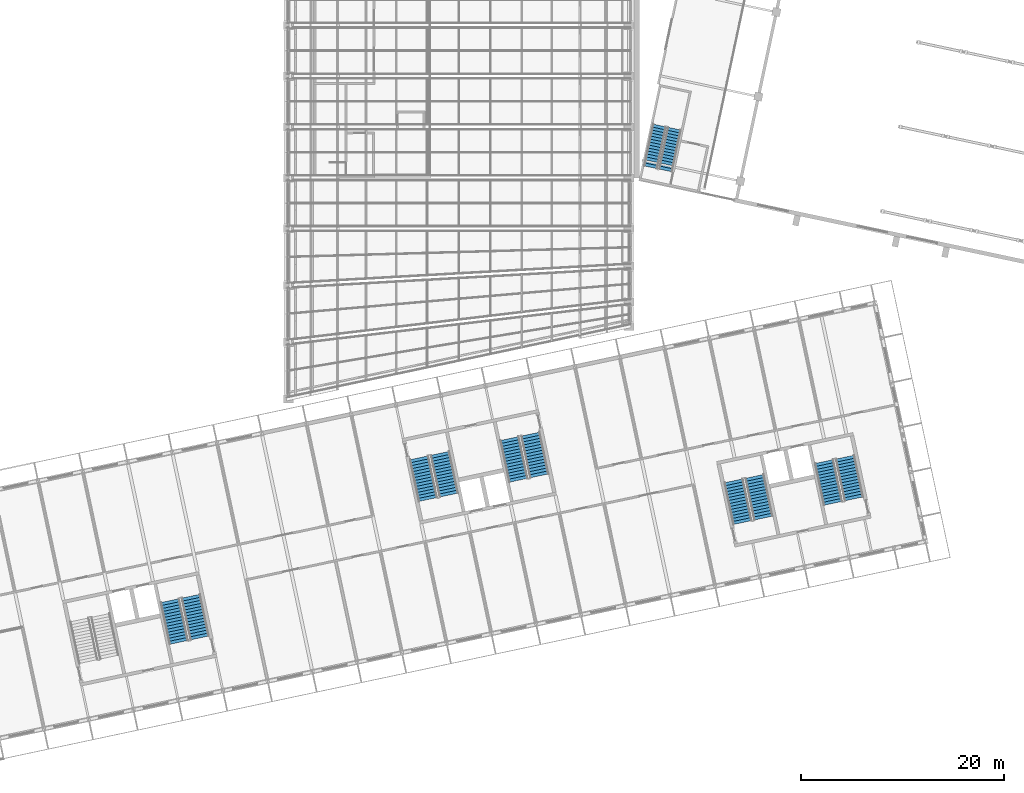
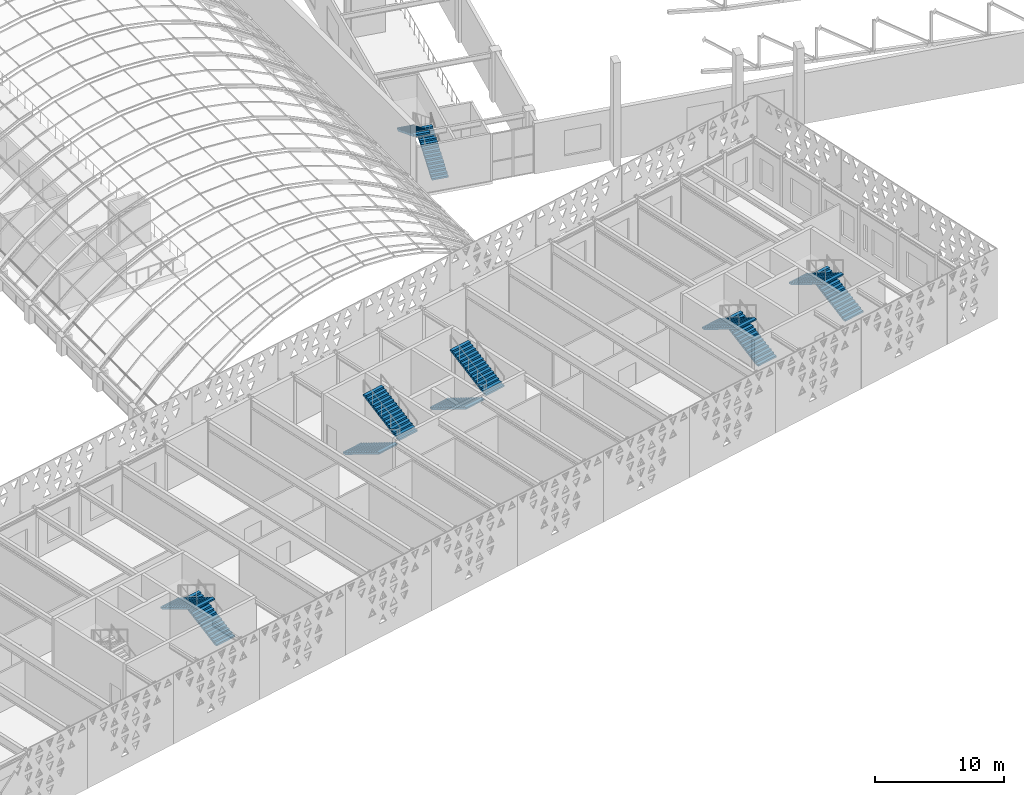
# One storey, part 151 of 182: 12 stair flights, 6 elements without a shape of their own.
"""IFC4 building model written with IfcOpenShell, lengths in metres."""

from ifc_helpers import new_model, si_unit, direction, frame, origin, place, context, subcontext, project, spatial, polyline, outline, extrude, material, type_object, element, aggregate, save


model = new_model("IFC4")

# Units and contexts
model_context = context("Model", 3, precision=1e-05, world=origin(), true_north=direction((0.0, 1.0)))
body_context = subcontext(model_context, "Body", "Model", "MODEL_VIEW")
ifc_project = project(units=[si_unit("LENGTHUNIT", "METRE"), si_unit("AREAUNIT", "SQUARE_METRE"), si_unit("VOLUMEUNIT", "CUBIC_METRE"), si_unit("PLANEANGLEUNIT", "RADIAN"), si_unit("MASSUNIT", "GRAM", prefix="KILO")], contexts=[model_context])

# Site, building, storey
site_placement = place(None, origin())
site = spatial("IfcSite", under=ifc_project, at=site_placement, CompositionType="ELEMENT")
building_placement = place(site_placement, origin())
building = spatial("IfcBuilding", under=site, at=building_placement, Name="Okhra Congress Centre", CompositionType="ELEMENT")
storey_placement = place(building_placement, frame((0.0, 0.0, 7.199951171875)))
storey = spatial("IfcBuildingStorey", under=building, at=storey_placement, Name="L01", CompositionType="ELEMENT", Elevation=7.199951171875)

# Stair, stair flights
ifc_material = material(Name="Concrete C30/37", Category="concrete")
stair_type_1 = type_object("IfcStairType", Name="Escape stair 1350 wide, 30 risers of 160.0", PredefinedType="HALF_TURN_STAIR", material=ifc_material)
stair_1_placement = place(storey_placement, origin())
stair_1 = element("IfcStair", 1, at=stair_1_placement, inside=storey, type_object=stair_type_1, Name="L01 Gallery Stair", PredefinedType="HALF_TURN_STAIR")
stair_flight_type_1 = type_object("IfcStairFlightType", Name="Stair flight 1350 wide", PredefinedType="STRAIGHT", material=ifc_material)
stair_flight_1_placement = place(storey_placement, frame((192.582763671875, 96.727783203125, 0.0), z_axis=(0.0, 0.0, 1.0), x_axis=(0.207911690818, 0.978147600734, 0.0)))
stair_flight_1 = element("IfcStairFlight", 2, at=stair_flight_1_placement, type_object=stair_flight_type_1, Name="BG1 flight 1", NumberOfRisers=15, NumberOfTreads=14, PredefinedType="STRAIGHT", RiserHeight=0.16, TreadLength=0.300146667, context=body_context, shape_type="SweptSolid", body=[
    extrude(outline(polyline([(0.0, 0.0), (0.0, 0.159912109375), (0.300048828125, 0.159912109375), (0.300048828125, 0.320068359375), (0.600341796875, 0.320068359375), (0.600341796875, 0.47998046875), (0.900390625, 0.47998046875), (0.900390625, 0.639892578125), (1.20068359375, 0.639892578125), (1.20068359375, 0.800048828125), (1.500732421875, 0.800048828125), (1.500732421875, 0.9599609375), (1.80078125, 0.9599609375), (1.80078125, 1.1201171875), (2.10107421875, 1.1201171875), (2.10107421875, 1.280029296875), (2.401123046875, 1.280029296875), (2.401123046875, 1.43994140625), (2.701416015625, 1.43994140625), (2.701416015625, 1.60009765625), (3.00146484375, 1.60009765625), (3.00146484375, 1.760009765625), (3.301513671875, 1.760009765625), (3.301513671875, 1.919921875), (3.601806640625, 1.919921875), (3.601806640625, 2.080078125), (3.90185546875, 2.080078125), (3.90185546875, 2.239990234375), (4.2021484375, 2.239990234375), (4.2021484375, 2.39990234375), (4.2021484375, 2.070068359375), (0.318603515625, 0.0), (0.0, 0.0)])), frame((0.0, 0.675048828125, 0.0), z_axis=(0.0, -1.0, 0.0), x_axis=(1.0, 0.0, 0.0)), (0.0, 0.0, 1.0), 1.35009765625),
])
stair_flight_2_placement = place(storey_placement, frame((191.9892578125, 101.150146484375, 2.400146484375), z_axis=(0.0, 0.0, 1.0), x_axis=(-0.207911690818, -0.978147600734, 0.0)))
stair_flight_2 = element("IfcStairFlight", 3, at=stair_flight_2_placement, type_object=stair_flight_type_1, Name="BG1 flight 2", NumberOfRisers=15, NumberOfTreads=14, PredefinedType="STRAIGHT", RiserHeight=0.16, TreadLength=0.300146667, context=body_context, shape_type="SweptSolid", body=[
    extrude(outline(polyline([(0.0, 0.0), (0.0, 0.159912109375), (0.300048828125, 0.159912109375), (0.300048828125, 0.320068359375), (0.600341796875, 0.320068359375), (0.600341796875, 0.47998046875), (0.900390625, 0.47998046875), (0.900390625, 0.639892578125), (1.20068359375, 0.639892578125), (1.20068359375, 0.800048828125), (1.500732421875, 0.800048828125), (1.500732421875, 0.9599609375), (1.80078125, 0.9599609375), (1.80078125, 1.1201171875), (2.10107421875, 1.1201171875), (2.10107421875, 1.280029296875), (2.401123046875, 1.280029296875), (2.401123046875, 1.43994140625), (2.701416015625, 1.43994140625), (2.701416015625, 1.60009765625), (3.00146484375, 1.60009765625), (3.00146484375, 1.760009765625), (3.301513671875, 1.760009765625), (3.301513671875, 1.919921875), (3.601806640625, 1.919921875), (3.601806640625, 2.080078125), (3.90185546875, 2.080078125), (3.90185546875, 2.239990234375), (4.2021484375, 2.239990234375), (4.2021484375, 2.39990234375), (4.2021484375, 2.070068359375), (0.318603515625, 0.0), (0.0, 0.0)])), frame((0.0, 0.675048828125, 0.0), z_axis=(0.0, -1.0, 0.0), x_axis=(1.0, 0.0, 0.0)), (0.0, 0.0, 1.0), 1.35009765625),
])
aggregate(stair_1, [stair_flight_1, stair_flight_2])

stair_type_2 = type_object("IfcStairType", Name="Escape stair 1900 wide, 30 risers of 160.0", PredefinedType="HALF_TURN_STAIR", material=ifc_material)
stair_2_placement = place(storey_placement, origin())
stair_2 = element("IfcStair", 4, at=stair_2_placement, inside=storey, type_object=stair_type_2, Name="L01 Escape stair 3B", PredefinedType="HALF_TURN_STAIR")
stair_flight_type_2 = type_object("IfcStairFlightType", Name="Stair flight 1900 wide", PredefinedType="STRAIGHT", material=ifc_material)
stair_flight_3_placement = place(storey_placement, frame((146.76025390625, 50.7353515625, 0.0), z_axis=(0.0, 0.0, 1.0), x_axis=(-0.207911690818, 0.978147600734, 0.0)))
stair_flight_3 = element("IfcStairFlight", 5, at=stair_flight_3_placement, type_object=stair_flight_type_2, Name="BS3B flight 1", NumberOfRisers=15, NumberOfTreads=14, PredefinedType="STRAIGHT", RiserHeight=0.16, TreadLength=0.3, context=body_context, shape_type="SweptSolid", body=[
    extrude(outline(polyline([(0.0, 0.0), (0.0, 0.159912109375), (0.300048828125, 0.159912109375), (0.300048828125, 0.320068359375), (0.60009765625, 0.320068359375), (0.60009765625, 0.47998046875), (0.89990234375, 0.47998046875), (0.89990234375, 0.639892578125), (1.199951171875, 0.639892578125), (1.199951171875, 0.800048828125), (1.5, 0.800048828125), (1.5, 0.9599609375), (1.800048828125, 0.9599609375), (1.800048828125, 1.1201171875), (2.10009765625, 1.1201171875), (2.10009765625, 1.280029296875), (2.39990234375, 1.280029296875), (2.39990234375, 1.43994140625), (2.699951171875, 1.43994140625), (2.699951171875, 1.60009765625), (3.0, 1.60009765625), (3.0, 1.760009765625), (3.300048828125, 1.760009765625), (3.300048828125, 1.919921875), (3.60009765625, 1.919921875), (3.60009765625, 2.080078125), (3.89990234375, 2.080078125), (3.89990234375, 2.239990234375), (4.199951171875, 2.239990234375), (4.199951171875, 2.39990234375), (4.199951171875, 2.103759765625), (0.25537109375, 0.0), (0.0, 0.0)])), frame((0.0, 0.949951171875, 0.0), z_axis=(0.0, -1.0, 0.0), x_axis=(1.0, 0.0, 0.0)), (0.0, 0.0, 1.0), 1.89990234375),
])
stair_flight_4_placement = place(storey_placement, frame((143.8330078125, 54.406982421875, 2.400146484375), z_axis=(0.0, 0.0, 1.0), x_axis=(0.207911690818, -0.978147600734, 0.0)))
stair_flight_4 = element("IfcStairFlight", 6, at=stair_flight_4_placement, type_object=stair_flight_type_2, Name="BS3B flight 2", NumberOfRisers=15, NumberOfTreads=14, PredefinedType="STRAIGHT", RiserHeight=0.16, TreadLength=0.3, context=body_context, shape_type="SweptSolid", body=[
    extrude(outline(polyline([(0.0, 0.0), (0.0, 0.159912109375), (0.300048828125, 0.159912109375), (0.300048828125, 0.320068359375), (0.60009765625, 0.320068359375), (0.60009765625, 0.47998046875), (0.89990234375, 0.47998046875), (0.89990234375, 0.639892578125), (1.199951171875, 0.639892578125), (1.199951171875, 0.800048828125), (1.5, 0.800048828125), (1.5, 0.9599609375), (1.800048828125, 0.9599609375), (1.800048828125, 1.1201171875), (2.10009765625, 1.1201171875), (2.10009765625, 1.280029296875), (2.39990234375, 1.280029296875), (2.39990234375, 1.43994140625), (2.699951171875, 1.43994140625), (2.699951171875, 1.60009765625), (3.0, 1.60009765625), (3.0, 1.760009765625), (3.300048828125, 1.760009765625), (3.300048828125, 1.919921875), (3.60009765625, 1.919921875), (3.60009765625, 2.080078125), (3.89990234375, 2.080078125), (3.89990234375, 2.239990234375), (4.199951171875, 2.239990234375), (4.199951171875, 2.39990234375), (4.199951171875, 2.103759765625), (0.25537109375, 0.0), (0.0, 0.0)])), frame((0.0, 0.949951171875, 0.0), z_axis=(0.0, -1.0, 0.0), x_axis=(1.0, 0.0, 0.0)), (0.0, 0.0, 1.0), 1.89990234375),
])
aggregate(stair_2, [stair_flight_3, stair_flight_4])

stair_3_placement = place(storey_placement, origin())
stair_3 = element("IfcStair", 7, at=stair_3_placement, inside=storey, type_object=stair_type_2, Name="L01 Escape stair 4A", PredefinedType="HALF_TURN_STAIR")
stair_flight_5_placement = place(storey_placement, frame((168.3466796875, 68.460693359375, 0.0), z_axis=(0.0, 0.0, 1.0), x_axis=(0.207911690818, -0.978147600734, 0.0)))
stair_flight_5 = element("IfcStairFlight", 8, at=stair_flight_5_placement, type_object=stair_flight_type_2, Name="BS4A flight 1", NumberOfRisers=15, NumberOfTreads=14, PredefinedType="STRAIGHT", RiserHeight=0.16, TreadLength=0.3, context=body_context, shape_type="SweptSolid", body=[
    extrude(outline(polyline([(0.0, 0.0), (0.0, 0.159912109375), (0.300048828125, 0.159912109375), (0.300048828125, 0.320068359375), (0.60009765625, 0.320068359375), (0.60009765625, 0.47998046875), (0.89990234375, 0.47998046875), (0.89990234375, 0.639892578125), (1.199951171875, 0.639892578125), (1.199951171875, 0.800048828125), (1.5, 0.800048828125), (1.5, 0.9599609375), (1.800048828125, 0.9599609375), (1.800048828125, 1.1201171875), (2.10009765625, 1.1201171875), (2.10009765625, 1.280029296875), (2.39990234375, 1.280029296875), (2.39990234375, 1.43994140625), (2.699951171875, 1.43994140625), (2.699951171875, 1.60009765625), (3.0, 1.60009765625), (3.0, 1.760009765625), (3.300048828125, 1.760009765625), (3.300048828125, 1.919921875), (3.60009765625, 1.919921875), (3.60009765625, 2.080078125), (3.89990234375, 2.080078125), (3.89990234375, 2.239990234375), (4.199951171875, 2.239990234375), (4.199951171875, 2.39990234375), (4.199951171875, 2.103759765625), (0.25537109375, 0.0), (0.0, 0.0)])), frame((0.0, 0.949951171875, 0.0), z_axis=(0.0, -1.0, 0.0), x_axis=(1.0, 0.0, 0.0)), (0.0, 0.0, 1.0), 1.89990234375),
])
stair_flight_6_placement = place(storey_placement, frame((171.27392578125, 64.7890625, 2.400146484375), z_axis=(0.0, 0.0, 1.0), x_axis=(-0.207911690818, 0.978147600734, 0.0)))
stair_flight_6 = element("IfcStairFlight", 9, at=stair_flight_6_placement, type_object=stair_flight_type_2, Name="BS4A flight 2", NumberOfRisers=15, NumberOfTreads=14, PredefinedType="STRAIGHT", RiserHeight=0.16, TreadLength=0.3, context=body_context, shape_type="SweptSolid", body=[
    extrude(outline(polyline([(0.0, 0.0), (0.0, 0.159912109375), (0.300048828125, 0.159912109375), (0.300048828125, 0.320068359375), (0.60009765625, 0.320068359375), (0.60009765625, 0.47998046875), (0.89990234375, 0.47998046875), (0.89990234375, 0.639892578125), (1.199951171875, 0.639892578125), (1.199951171875, 0.800048828125), (1.5, 0.800048828125), (1.5, 0.9599609375), (1.800048828125, 0.9599609375), (1.800048828125, 1.1201171875), (2.10009765625, 1.1201171875), (2.10009765625, 1.280029296875), (2.39990234375, 1.280029296875), (2.39990234375, 1.43994140625), (2.699951171875, 1.43994140625), (2.699951171875, 1.60009765625), (3.0, 1.60009765625), (3.0, 1.760009765625), (3.300048828125, 1.760009765625), (3.300048828125, 1.919921875), (3.60009765625, 1.919921875), (3.60009765625, 2.080078125), (3.89990234375, 2.080078125), (3.89990234375, 2.239990234375), (4.199951171875, 2.239990234375), (4.199951171875, 2.39990234375), (4.199951171875, 2.103759765625), (0.25537109375, 0.0), (0.0, 0.0)])), frame((0.0, 0.949951171875, 0.0), z_axis=(0.0, -1.0, 0.0), x_axis=(1.0, 0.0, 0.0)), (0.0, 0.0, 1.0), 1.89990234375),
])
aggregate(stair_3, [stair_flight_5, stair_flight_6])

stair_4_placement = place(storey_placement, origin())
stair_4 = element("IfcStair", 10, at=stair_4_placement, inside=storey, type_object=stair_type_2, Name="L01 Escape stair 4B", PredefinedType="HALF_TURN_STAIR")
stair_flight_7_placement = place(storey_placement, frame((177.247802734375, 70.352783203125, 0.0), z_axis=(0.0, 0.0, 1.0), x_axis=(0.207911690818, -0.978147600734, 0.0)))
stair_flight_7 = element("IfcStairFlight", 11, at=stair_flight_7_placement, type_object=stair_flight_type_2, Name="BS4B flight 1", NumberOfRisers=15, NumberOfTreads=14, PredefinedType="STRAIGHT", RiserHeight=0.16, TreadLength=0.3, context=body_context, shape_type="SweptSolid", body=[
    extrude(outline(polyline([(0.0, 0.0), (0.0, 0.159912109375), (0.300048828125, 0.159912109375), (0.300048828125, 0.320068359375), (0.60009765625, 0.320068359375), (0.60009765625, 0.47998046875), (0.89990234375, 0.47998046875), (0.89990234375, 0.639892578125), (1.199951171875, 0.639892578125), (1.199951171875, 0.800048828125), (1.5, 0.800048828125), (1.5, 0.9599609375), (1.800048828125, 0.9599609375), (1.800048828125, 1.1201171875), (2.10009765625, 1.1201171875), (2.10009765625, 1.280029296875), (2.39990234375, 1.280029296875), (2.39990234375, 1.43994140625), (2.699951171875, 1.43994140625), (2.699951171875, 1.60009765625), (3.0, 1.60009765625), (3.0, 1.760009765625), (3.300048828125, 1.760009765625), (3.300048828125, 1.919921875), (3.60009765625, 1.919921875), (3.60009765625, 2.080078125), (3.89990234375, 2.080078125), (3.89990234375, 2.239990234375), (4.199951171875, 2.239990234375), (4.199951171875, 2.39990234375), (4.199951171875, 2.103759765625), (0.25537109375, 0.0), (0.0, 0.0)])), frame((0.0, 0.949951171875, 0.0), z_axis=(0.0, -1.0, 0.0), x_axis=(1.0, 0.0, 0.0)), (0.0, 0.0, 1.0), 1.89990234375),
])
stair_flight_8_placement = place(storey_placement, frame((180.17529296875, 66.68115234375, 2.400146484375), z_axis=(0.0, 0.0, 1.0), x_axis=(-0.207911690818, 0.978147600734, 0.0)))
stair_flight_8 = element("IfcStairFlight", 12, at=stair_flight_8_placement, type_object=stair_flight_type_2, Name="BS4B flight 2", NumberOfRisers=15, NumberOfTreads=14, PredefinedType="STRAIGHT", RiserHeight=0.16, TreadLength=0.3, context=body_context, shape_type="SweptSolid", body=[
    extrude(outline(polyline([(0.0, 0.0), (0.0, 0.159912109375), (0.300048828125, 0.159912109375), (0.300048828125, 0.320068359375), (0.60009765625, 0.320068359375), (0.60009765625, 0.47998046875), (0.89990234375, 0.47998046875), (0.89990234375, 0.639892578125), (1.199951171875, 0.639892578125), (1.199951171875, 0.800048828125), (1.5, 0.800048828125), (1.5, 0.9599609375), (1.800048828125, 0.9599609375), (1.800048828125, 1.1201171875), (2.10009765625, 1.1201171875), (2.10009765625, 1.280029296875), (2.39990234375, 1.280029296875), (2.39990234375, 1.43994140625), (2.699951171875, 1.43994140625), (2.699951171875, 1.60009765625), (3.0, 1.60009765625), (3.0, 1.760009765625), (3.300048828125, 1.760009765625), (3.300048828125, 1.919921875), (3.60009765625, 1.919921875), (3.60009765625, 2.080078125), (3.89990234375, 2.080078125), (3.89990234375, 2.239990234375), (4.199951171875, 2.239990234375), (4.199951171875, 2.39990234375), (4.199951171875, 2.103759765625), (0.25537109375, 0.0), (0.0, 0.0)])), frame((0.0, 0.949951171875, 0.0), z_axis=(0.0, -1.0, 0.0), x_axis=(1.0, 0.0, 0.0)), (0.0, 0.0, 1.0), 1.89990234375),
])
aggregate(stair_4, [stair_flight_7, stair_flight_8])

stair_5_placement = place(storey_placement, origin())
stair_5 = element("IfcStair", 13, at=stair_5_placement, inside=storey, type_object=stair_type_2, Name="L01 Escape stair 5A", PredefinedType="HALF_TURN_STAIR")
stair_flight_9_placement = place(storey_placement, frame((202.22119140625, 62.52392578125, 0.0), z_axis=(0.0, 0.0, 1.0), x_axis=(-0.207911690818, 0.978147600734, 0.0)))
stair_flight_9 = element("IfcStairFlight", 14, at=stair_flight_9_placement, type_object=stair_flight_type_2, Name="BS5A flight 1", NumberOfRisers=15, NumberOfTreads=14, PredefinedType="STRAIGHT", RiserHeight=0.16, TreadLength=0.3, context=body_context, shape_type="SweptSolid", body=[
    extrude(outline(polyline([(0.0, 0.0), (0.0, 0.159912109375), (0.300048828125, 0.159912109375), (0.300048828125, 0.320068359375), (0.60009765625, 0.320068359375), (0.60009765625, 0.47998046875), (0.89990234375, 0.47998046875), (0.89990234375, 0.639892578125), (1.199951171875, 0.639892578125), (1.199951171875, 0.800048828125), (1.5, 0.800048828125), (1.5, 0.9599609375), (1.800048828125, 0.9599609375), (1.800048828125, 1.1201171875), (2.10009765625, 1.1201171875), (2.10009765625, 1.280029296875), (2.39990234375, 1.280029296875), (2.39990234375, 1.43994140625), (2.699951171875, 1.43994140625), (2.699951171875, 1.60009765625), (3.0, 1.60009765625), (3.0, 1.760009765625), (3.300048828125, 1.760009765625), (3.300048828125, 1.919921875), (3.60009765625, 1.919921875), (3.60009765625, 2.080078125), (3.89990234375, 2.080078125), (3.89990234375, 2.239990234375), (4.199951171875, 2.239990234375), (4.199951171875, 2.39990234375), (4.199951171875, 2.103759765625), (0.25537109375, 0.0), (0.0, 0.0)])), frame((0.0, 0.949951171875, 0.0), z_axis=(0.0, -1.0, 0.0), x_axis=(1.0, 0.0, 0.0)), (0.0, 0.0, 1.0), 1.89990234375),
])
stair_flight_10_placement = place(storey_placement, frame((199.2939453125, 66.195556640625, 2.400146484375), z_axis=(0.0, 0.0, 1.0), x_axis=(0.207911690818, -0.978147600734, 0.0)))
stair_flight_10 = element("IfcStairFlight", 15, at=stair_flight_10_placement, type_object=stair_flight_type_2, Name="BS5A flight 2", NumberOfRisers=15, NumberOfTreads=14, PredefinedType="STRAIGHT", RiserHeight=0.16, TreadLength=0.3, context=body_context, shape_type="SweptSolid", body=[
    extrude(outline(polyline([(0.0, 0.0), (0.0, 0.159912109375), (0.300048828125, 0.159912109375), (0.300048828125, 0.320068359375), (0.60009765625, 0.320068359375), (0.60009765625, 0.47998046875), (0.89990234375, 0.47998046875), (0.89990234375, 0.639892578125), (1.199951171875, 0.639892578125), (1.199951171875, 0.800048828125), (1.5, 0.800048828125), (1.5, 0.9599609375), (1.800048828125, 0.9599609375), (1.800048828125, 1.1201171875), (2.10009765625, 1.1201171875), (2.10009765625, 1.280029296875), (2.39990234375, 1.280029296875), (2.39990234375, 1.43994140625), (2.699951171875, 1.43994140625), (2.699951171875, 1.60009765625), (3.0, 1.60009765625), (3.0, 1.760009765625), (3.300048828125, 1.760009765625), (3.300048828125, 1.919921875), (3.60009765625, 1.919921875), (3.60009765625, 2.080078125), (3.89990234375, 2.080078125), (3.89990234375, 2.239990234375), (4.199951171875, 2.239990234375), (4.199951171875, 2.39990234375), (4.199951171875, 2.103759765625), (0.25537109375, 0.0), (0.0, 0.0)])), frame((0.0, 0.949951171875, 0.0), z_axis=(0.0, -1.0, 0.0), x_axis=(1.0, 0.0, 0.0)), (0.0, 0.0, 1.0), 1.89990234375),
])
aggregate(stair_5, [stair_flight_9, stair_flight_10])

stair_6_placement = place(storey_placement, origin())
stair_6 = element("IfcStair", 16, at=stair_6_placement, inside=storey, type_object=stair_type_2, Name="L01 Escape stair 5B", PredefinedType="HALF_TURN_STAIR")
stair_flight_11_placement = place(storey_placement, frame((211.122314453125, 64.416015625, 0.0), z_axis=(0.0, 0.0, 1.0), x_axis=(-0.207911690818, 0.978147600734, 0.0)))
stair_flight_11 = element("IfcStairFlight", 17, at=stair_flight_11_placement, type_object=stair_flight_type_2, Name="BS5B flight 1", NumberOfRisers=15, NumberOfTreads=14, PredefinedType="STRAIGHT", RiserHeight=0.16, TreadLength=0.3, context=body_context, shape_type="SweptSolid", body=[
    extrude(outline(polyline([(0.0, 0.0), (0.0, 0.159912109375), (0.300048828125, 0.159912109375), (0.300048828125, 0.320068359375), (0.60009765625, 0.320068359375), (0.60009765625, 0.47998046875), (0.89990234375, 0.47998046875), (0.89990234375, 0.639892578125), (1.199951171875, 0.639892578125), (1.199951171875, 0.800048828125), (1.5, 0.800048828125), (1.5, 0.9599609375), (1.800048828125, 0.9599609375), (1.800048828125, 1.1201171875), (2.10009765625, 1.1201171875), (2.10009765625, 1.280029296875), (2.39990234375, 1.280029296875), (2.39990234375, 1.43994140625), (2.699951171875, 1.43994140625), (2.699951171875, 1.60009765625), (3.0, 1.60009765625), (3.0, 1.760009765625), (3.300048828125, 1.760009765625), (3.300048828125, 1.919921875), (3.60009765625, 1.919921875), (3.60009765625, 2.080078125), (3.89990234375, 2.080078125), (3.89990234375, 2.239990234375), (4.199951171875, 2.239990234375), (4.199951171875, 2.39990234375), (4.199951171875, 2.103759765625), (0.25537109375, 0.0), (0.0, 0.0)])), frame((0.0, 0.949951171875, 0.0), z_axis=(0.0, -1.0, 0.0), x_axis=(1.0, 0.0, 0.0)), (0.0, 0.0, 1.0), 1.89990234375),
])
stair_flight_12_placement = place(storey_placement, frame((208.195068359375, 68.087646484375, 2.400146484375), z_axis=(0.0, 0.0, 1.0), x_axis=(0.207911690818, -0.978147600734, 0.0)))
stair_flight_12 = element("IfcStairFlight", 18, at=stair_flight_12_placement, type_object=stair_flight_type_2, Name="BS5B flight 2", NumberOfRisers=15, NumberOfTreads=14, PredefinedType="STRAIGHT", RiserHeight=0.16, TreadLength=0.3, context=body_context, shape_type="SweptSolid", body=[
    extrude(outline(polyline([(0.0, 0.0), (0.0, 0.159912109375), (0.300048828125, 0.159912109375), (0.300048828125, 0.320068359375), (0.60009765625, 0.320068359375), (0.60009765625, 0.47998046875), (0.89990234375, 0.47998046875), (0.89990234375, 0.639892578125), (1.199951171875, 0.639892578125), (1.199951171875, 0.800048828125), (1.5, 0.800048828125), (1.5, 0.9599609375), (1.800048828125, 0.9599609375), (1.800048828125, 1.1201171875), (2.10009765625, 1.1201171875), (2.10009765625, 1.280029296875), (2.39990234375, 1.280029296875), (2.39990234375, 1.43994140625), (2.699951171875, 1.43994140625), (2.699951171875, 1.60009765625), (3.0, 1.60009765625), (3.0, 1.760009765625), (3.300048828125, 1.760009765625), (3.300048828125, 1.919921875), (3.60009765625, 1.919921875), (3.60009765625, 2.080078125), (3.89990234375, 2.080078125), (3.89990234375, 2.239990234375), (4.199951171875, 2.239990234375), (4.199951171875, 2.39990234375), (4.199951171875, 2.103759765625), (0.25537109375, 0.0), (0.0, 0.0)])), frame((0.0, 0.949951171875, 0.0), z_axis=(0.0, -1.0, 0.0), x_axis=(1.0, 0.0, 0.0)), (0.0, 0.0, 1.0), 1.89990234375),
])
aggregate(stair_6, [stair_flight_11, stair_flight_12])

save(model, "model.ifc")
